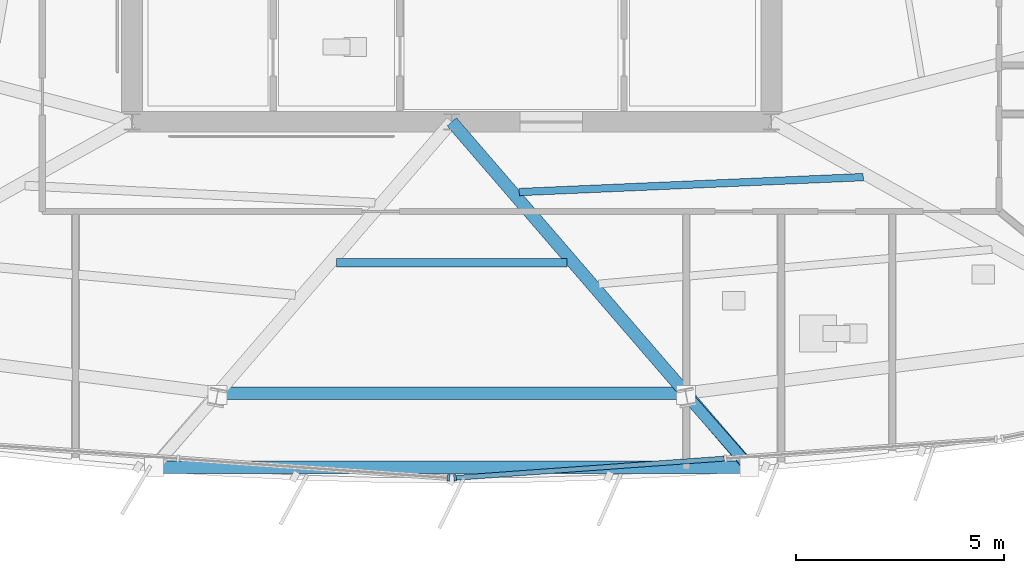
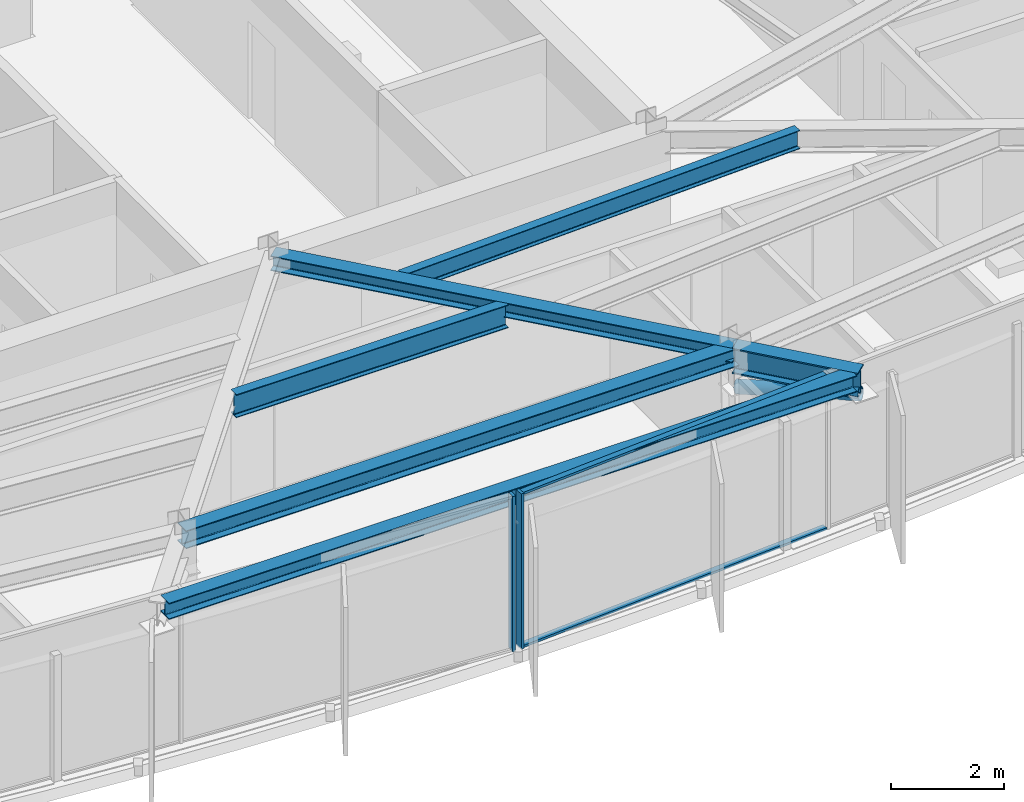
# One storey, part 3 of 15: 6 beams, 5 members, 2 elements without a shape of their own.
"""IFC4 building model written with IfcOpenShell, lengths in metres."""

import ifcopenshell
import ifcopenshell.guid

model = None  # the IFC model being written
_history = None  # IfcOwnerHistory: only IFC2X3 demands one
_inside = {}  # id of a spatial element -> (the spatial element, [elements in it])
_under = {}  # id of a project, library or spatial element -> (it, [spatial elements below it])
_declared = {}  # id of a project -> (the project, [libraries it declares])
_typed = {}  # id of a type object -> (the type object, [elements of that type])
_made_of = {}  # id of a material, layer set ... -> (it, [elements and type objects made of it])


def new_model(schema):
    """Start an empty IFC model of exactly this schema.

    Asked for "IFC4X3", IfcOpenShell would pick the latest addendum, in which some entities
    have other attributes; the version numbers below select the first issue.
    IFC2X3 requires an IfcOwnerHistory on every rooted entity: one is made here for all.
    """
    global model, _history
    if schema == "IFC4X3":
        model = ifcopenshell.file(schema_version=(4, 3, 0, 0))
    else:
        model = ifcopenshell.file(schema=schema)
    _inside.clear()
    _under.clear()
    _declared.clear()
    _typed.clear()
    _made_of.clear()
    _history = None
    if model.schema == "IFC2X3":
        org = make("IfcOrganization", Name="unknown")
        user = make(
            "IfcPersonAndOrganization",
            ThePerson=make("IfcPerson", FamilyName="unknown"),
            TheOrganization=org,
        )
        app = make(
            "IfcApplication",
            ApplicationDeveloper=org,
            Version="unknown",
            ApplicationFullName="unknown",
            ApplicationIdentifier="unknown",
        )
        _history = make(
            "IfcOwnerHistory",
            OwningUser=user,
            OwningApplication=app,
            ChangeAction="ADDED",
            CreationDate=0,
        )
    return model


def make(cls, **values):
    """One entity of the class cls with the attributes given. An attribute that is None is left unset."""
    return model.create_entity(
        cls, **{name: value for name, value in values.items() if value is not None}
    )


def rooted(cls, **values):
    """An entity with a GlobalId (a new one), such as an element, a storey or a relation."""
    return make(cls, GlobalId=ifcopenshell.guid.new(), OwnerHistory=_history, **values)


def si_unit(unit_type, name, prefix=None):
    """IfcSIUnit, for example si_unit("LENGTHUNIT", "METRE", prefix="MILLI")."""
    return make("IfcSIUnit", UnitType=unit_type, Prefix=prefix, Name=name)


def assignment(units):
    """IfcUnitAssignment: the units of a project."""
    return None if units is None else make("IfcUnitAssignment", Units=units)


def point(xyz):
    """IfcCartesianPoint."""
    return None if xyz is None else make("IfcCartesianPoint", Coordinates=xyz)


def direction(xyz):
    """IfcDirection."""
    return None if xyz is None else make("IfcDirection", DirectionRatios=xyz)


def frame(location, z_axis=None, x_axis=None):
    """IfcAxis2Placement3D, a coordinate frame: its origin and axes. An axis left out is left unset."""
    return make(
        "IfcAxis2Placement3D",
        Location=point(location),
        Axis=direction(z_axis),
        RefDirection=direction(x_axis),
    )


def frame_2d(location, x_axis=None):
    """IfcAxis2Placement2D, a coordinate frame in the plane: its origin and x axis."""
    return make(
        "IfcAxis2Placement2D", Location=point(location), RefDirection=direction(x_axis)
    )


def origin():
    """The frame at (0, 0, 0) with its axes left unset."""
    return frame((0.0, 0.0, 0.0))


def origin_2d():
    """The frame at (0, 0) in the plane with its x axis left unset."""
    return frame_2d((0.0, 0.0))


def place(relative_to, where):
    """IfcLocalPlacement: puts the frame where relative to a parent placement (None: the world)."""
    return make(
        "IfcLocalPlacement", PlacementRelTo=relative_to, RelativePlacement=where
    )


def context(
    kind, dimensions, precision=None, world=None, true_north=None, identifier=None
):
    """IfcGeometricRepresentationContext, for example the 3D "Model" context."""
    return make(
        "IfcGeometricRepresentationContext",
        ContextIdentifier=identifier,
        ContextType=kind,
        CoordinateSpaceDimension=dimensions,
        Precision=precision,
        WorldCoordinateSystem=world,
        TrueNorth=true_north,
    )


def subcontext(parent, identifier, kind, view, scale=None):
    """IfcGeometricRepresentationSubContext, for example "Body" below "Model"."""
    return make(
        "IfcGeometricRepresentationSubContext",
        ContextIdentifier=identifier,
        ContextType=kind,
        ParentContext=parent,
        TargetScale=scale,
        TargetView=view,
    )


def project(units=None, contexts=None):
    """IfcProject with its units and contexts."""
    return rooted(
        "IfcProject",
        Name="project",
        RepresentationContexts=contexts,
        UnitsInContext=assignment(units),
    )


def spatial(cls, under=None, at=None, **own):
    """A site, building, storey or space (cls), placed at a placement, below another one or the project."""
    s = rooted(cls, ObjectPlacement=at, **own)
    if under is not None:
        _under.setdefault(under.id(), (under, []))[1].append(s)
    return s


def profile(cls, at=None, kind="AREA", **sizes):
    """A parametric profile (cls). Its sizes go by their IFC names, for example OverallWidth=200.0."""
    return make(cls, ProfileType=kind, Position=at, **sizes)


def rectangle(**sizes):
    """IfcRectangleProfileDef."""
    return profile("IfcRectangleProfileDef", **sizes)


def hollow_circle(**sizes):
    """IfcCircleHollowProfileDef."""
    return profile("IfcCircleHollowProfileDef", **sizes)


def i_section(**sizes):
    """IfcIShapeProfileDef."""
    return profile("IfcIShapeProfileDef", **sizes)


def extrude(swept, where, along, depth):
    """IfcExtrudedAreaSolid: the profile swept, set in the frame where, extruded along a direction by depth."""
    return make(
        "IfcExtrudedAreaSolid",
        SweptArea=swept,
        Position=where,
        ExtrudedDirection=direction(along),
        Depth=depth,
    )


def shape(context_of_items, identifier, shape_type, items):
    """IfcShapeRepresentation: the items that make up one representation, for example the "Body"."""
    return make(
        "IfcShapeRepresentation",
        ContextOfItems=context_of_items,
        RepresentationIdentifier=identifier,
        RepresentationType=shape_type,
        Items=items,
    )


def material(Name=None, Category=None):
    """IfcMaterial."""
    return make("IfcMaterial", Name=Name, Category=Category)


def material_profile(
    of_material, cross_section, Name=None, Category=None, Priority=None
):
    """IfcMaterialProfile: a cross section and its material."""
    return make(
        "IfcMaterialProfile",
        Name=Name,
        Material=of_material,
        Profile=cross_section,
        Priority=Priority,
        Category=Category,
    )


def profile_set(profiles, Name=None, composite=None):
    """IfcMaterialProfileSet."""
    return make(
        "IfcMaterialProfileSet",
        Name=Name,
        MaterialProfiles=profiles,
        CompositeProfile=composite,
    )


def made_of(thing, what):
    """Note that an element or type object is made of a material, layer set ...; save() writes the relation."""
    if what is not None:
        _made_of.setdefault(what.id(), (what, []))[1].append(thing)
    return thing


def type_object(cls, material=None, **own):
    """A type object (cls), such as IfcWallType, which elements share."""
    return made_of(rooted(cls, **own), material)


def element(
    cls,
    number,
    at=None,
    inside=None,
    cuts=None,
    type_object=None,
    material=None,
    context=None,
    identifier="Body",
    shape_type=None,
    held_by="IfcProductDefinitionShape",
    body=None,
    shapes=None,
    **own,
):
    """One element of the class cls, such as IfcWall. Its Tag is "e" and its number.

    at: its placement. inside: the storey or other place that contains it. cuts: it is an
    opening in that element (IfcRelVoidsElement). A single representation is given by context,
    identifier, shape_type and body (its items); several are given by shapes. held_by: the class
    of the entity that holds the representations. save() writes the other relations.
    """
    e = rooted(cls, Tag="e%d" % number, ObjectPlacement=at, **own)
    if body is not None:
        shapes = [shape(context, identifier, shape_type, body)]
    if shapes is not None:
        e.Representation = make(held_by, Representations=shapes)
    if inside is not None:
        _inside.setdefault(inside.id(), (inside, []))[1].append(e)
    if cuts is not None:
        rooted(
            "IfcRelVoidsElement", RelatingBuildingElement=cuts, RelatedOpeningElement=e
        )
    if type_object is not None:
        _typed.setdefault(type_object.id(), (type_object, []))[1].append(e)
    return made_of(e, material)


def aggregate(whole, parts):
    """IfcRelAggregates: a whole, such as a stair, and the parts it consists of."""
    return rooted("IfcRelAggregates", RelatingObject=whole, RelatedObjects=parts)


def save(model, path):
    """Write the relations noted so far, then the file.

    IfcRelAggregates (storeys below a building ...), IfcRelContainedInSpatialStructure (elements
    in a storey), IfcRelDefinesByType, IfcRelAssociatesMaterial and IfcRelDeclares: one each for
    every whole, place, type object, material and project.
    """
    for whole, parts in _under.values():
        aggregate(whole, parts)
    for where, things in _inside.values():
        rooted(
            "IfcRelContainedInSpatialStructure",
            RelatedElements=things,
            RelatingStructure=where,
        )
    for kind, things in _typed.values():
        rooted("IfcRelDefinesByType", RelatedObjects=things, RelatingType=kind)
    for what, things in _made_of.values():
        rooted("IfcRelAssociatesMaterial", RelatedObjects=things, RelatingMaterial=what)
    for by, libraries in _declared.values():
        rooted("IfcRelDeclares", RelatingContext=by, RelatedDefinitions=libraries)
    model.write(path)


model = new_model("IFC4")

# Units and contexts
model_context = context("Model", 3, precision=1e-05, world=origin(), true_north=direction((0.0, 1.0)))
body_context = subcontext(model_context, "Body", "Model", "MODEL_VIEW")
ifc_project = project(units=[si_unit("LENGTHUNIT", "METRE"), si_unit("AREAUNIT", "SQUARE_METRE"), si_unit("VOLUMEUNIT", "CUBIC_METRE"), si_unit("PLANEANGLEUNIT", "RADIAN"), si_unit("MASSUNIT", "GRAM", prefix="KILO")], contexts=[model_context])

# Site, building, storey
site_placement = place(None, origin())
site = spatial("IfcSite", under=ifc_project, at=site_placement, CompositionType="ELEMENT")
building_placement = place(site_placement, origin())
building = spatial("IfcBuilding", under=site, at=building_placement, Name="Savorim Split Tower", CompositionType="ELEMENT")
storey_placement = place(building_placement, frame((0.0, 0.0, 201.89990234375)))
storey = spatial("IfcBuildingStorey", under=building, at=storey_placement, Name="L53", CompositionType="ELEMENT", Elevation=201.89990234375)

# Beams
ifc_material_1 = material(Name="Steel S355", Category="steel")
ifc_material_profile_1 = material_profile(ifc_material_1, i_section(OverallWidth=0.179931640625, OverallDepth=0.39990234375, WebThickness=0.008544921875, FlangeThickness=0.013427734375, FilletRadius=0.02099609375, at=origin_2d()), Name="IPE 400")
ifc_profile_set_1 = profile_set([ifc_material_profile_1], Name="Steel S355")
beam_type_1 = type_object("IfcBeamType", Name="BM-JST-IPE400", PredefinedType="JOIST", material=ifc_profile_set_1)
beam_1_placement = place(storey_placement, frame((1.62548828125, -11.09228515625, 3.150146484375), z_axis=(0.999059543239, 0.043359301921, 0.0), x_axis=(-0.043359301921, 0.999059543239, 0.0)))
element("IfcBeam", 1, at=beam_1_placement, inside=storey, type_object=beam_type_1, Name="L53 Secondary Floor Joist JS-05", PredefinedType="JOIST", context=body_context, shape_type="SweptSolid", body=[
    extrude(i_section(OverallWidth=0.179931640625, OverallDepth=0.39990234375, WebThickness=0.008544921875, FlangeThickness=0.013427734375, FilletRadius=0.02099609375, at=origin_2d()), origin(), (0.0, 0.0, 1.0), 8.2939453125),
])
ifc_material_profile_2 = material_profile(ifc_material_1, i_section(OverallWidth=0.199951171875, OverallDepth=0.5, WebThickness=0.01025390625, FlangeThickness=0.01611328125, FilletRadius=0.02099609375, at=origin_2d()), Name="IPE 500")
ifc_profile_set_2 = profile_set([ifc_material_profile_2], Name="Steel S355")
beam_type_2 = type_object("IfcBeamType", Name="BM-JST-IPE500", PredefinedType="JOIST", material=ifc_profile_set_2)
beam_2_placement = place(storey_placement, frame((-2.771484375, -12.79833984375, 3.10009765625), z_axis=(1.0, 0.0, 0.0), x_axis=(0.0, 1.0, 0.0)))
element("IfcBeam", 2, at=beam_2_placement, inside=storey, type_object=beam_type_2, Name="L53 Secondary Floor Joist JS-03", PredefinedType="JOIST", context=body_context, shape_type="SweptSolid", body=[
    extrude(i_section(OverallWidth=0.199951171875, OverallDepth=0.5, WebThickness=0.01025390625, FlangeThickness=0.01611328125, FilletRadius=0.02099609375, at=origin_2d()), origin(), (0.0, 0.0, 1.0), 5.54296875),
])
ifc_material_profile_3 = material_profile(ifc_material_1, i_section(OverallWidth=0.300048828125, OverallDepth=0.320068359375, WebThickness=0.011474609375, FlangeThickness=0.0205078125, FilletRadius=0.027099609375, at=origin_2d()), Name="HEB 320")
ifc_profile_set_3 = profile_set([ifc_material_profile_3], Name="Steel S355")
beam_type_3 = type_object("IfcBeamType", Name="BM-PRI-HEB320", PredefinedType="BEAM", material=ifc_profile_set_3)
beam_3_placement = place(storey_placement, frame((5.63720703125, -15.935302734375, 3.190185546875), z_axis=(-0.653155031073, 0.757224210775, 0.0), x_axis=(-0.757224210775, -0.653155031073, 0.0)))
element("IfcBeam", 3, at=beam_3_placement, inside=storey, type_object=beam_type_3, Name="L53 Primary Floor Girder RG-03", PredefinedType="BEAM", context=body_context, shape_type="SweptSolid", body=[
    extrude(i_section(OverallWidth=0.300048828125, OverallDepth=0.320068359375, WebThickness=0.011474609375, FlangeThickness=0.0205078125, FilletRadius=0.027099609375, at=origin_2d()), origin(), (0.0, 0.0, 1.0), 8.630615234375),
])
ifc_material_profile_4 = material_profile(ifc_material_1, i_section(OverallWidth=0.300048828125, OverallDepth=0.550048828125, WebThickness=0.014892578125, FlangeThickness=0.029052734375, FilletRadius=0.027099609375, at=origin_2d()), Name="HEB 550")
ifc_profile_set_4 = profile_set([ifc_material_profile_4], Name="Steel S355")
beam_type_4 = type_object("IfcBeamType", Name="BM-PRI-HEB550", PredefinedType="BEAM", material=ifc_profile_set_4)
beam_4_placement = place(storey_placement, frame((5.63720703125, -15.935302734375, 3.0751953125), z_axis=(0.653251941195, -0.757140608688, 0.0), x_axis=(0.757140608688, 0.653251941195, 0.0)))
element("IfcBeam", 4, at=beam_4_placement, inside=storey, type_object=beam_type_4, Name="L53 Cantilevered Lounge Rib 2", PredefinedType="BEAM", context=body_context, shape_type="SweptSolid", body=[
    extrude(i_section(OverallWidth=0.300048828125, OverallDepth=0.550048828125, WebThickness=0.014892578125, FlangeThickness=0.029052734375, FilletRadius=0.027099609375, at=origin_2d()), origin(), (0.0, 0.0, 1.0), 2.35009765625),
])
ifc_material_profile_5 = material_profile(ifc_material_1, i_section(OverallWidth=0.300048828125, OverallDepth=0.35009765625, WebThickness=0.010009765625, FlangeThickness=0.017578125, FilletRadius=0.027099609375, at=origin_2d()), Name="HEA 360")
ifc_profile_set_5 = profile_set([ifc_material_profile_5], Name="Steel S355")
beam_type_5 = type_object("IfcBeamType", Name="BM-SPN-HEA360", PredefinedType="SPANDREL", material=ifc_profile_set_5)
beam_5_placement = place(storey_placement, frame((-7.01220703125, -17.714599609375, 3.175048828125), z_axis=(1.0, 0.0, 0.0), x_axis=(0.0, 1.0, 0.0)))
element("IfcBeam", 5, at=beam_5_placement, inside=storey, type_object=beam_type_5, Name="L53 Cantilevered Lounge Front Edge Beam", PredefinedType="SPANDREL", context=body_context, shape_type="SweptSolid", body=[
    extrude(i_section(OverallWidth=0.300048828125, OverallDepth=0.35009765625, WebThickness=0.010009765625, FlangeThickness=0.017578125, FilletRadius=0.027099609375, at=origin_2d()), origin(), (0.0, 0.0, 1.0), 14.0244140625),
])
ifc_material_profile_6 = material_profile(ifc_material_1, i_section(OverallWidth=0.300048828125, OverallDepth=0.389892578125, WebThickness=0.010986328125, FlangeThickness=0.01904296875, FilletRadius=0.027099609375, at=origin_2d()), Name="HEA 400")
ifc_profile_set_6 = profile_set([ifc_material_profile_6], Name="Steel S355")
beam_type_6 = type_object("IfcBeamType", Name="BM-SPN-HEA400", PredefinedType="SPANDREL", material=ifc_profile_set_6)
beam_6_placement = place(storey_placement, frame((-5.63720703125, -15.935302734375, 3.155029296875), z_axis=(1.0, 0.0, 0.0), x_axis=(0.0, 1.0, 0.0)))
element("IfcBeam", 6, at=beam_6_placement, inside=storey, type_object=beam_type_6, Name="L53 Perimeter Spandrel Beam 2", PredefinedType="SPANDREL", context=body_context, shape_type="SweptSolid", body=[
    extrude(i_section(OverallWidth=0.300048828125, OverallDepth=0.389892578125, WebThickness=0.010986328125, FlangeThickness=0.01904296875, FilletRadius=0.027099609375, at=origin_2d()), origin(), (0.0, 0.0, 1.0), 11.2744140625),
])

# Curtain wall, member
ifc_material_2 = material(Name="Dark Ceramic-Fritted Insulated Glass", Category="glass")
curtain_wall_type = type_object("IfcCurtainWallType", Name="CW-TWR-FRIT-B", PredefinedType="NOTDEFINED", material=ifc_material_2)
curtain_wall_1_placement = place(storey_placement, origin())
curtain_wall_1 = element("IfcCurtainWall", 7, at=curtain_wall_1_placement, inside=storey, type_object=curtain_wall_type, Name="L53 Curtain Wall CW-L53-SF2", PredefinedType="NOTDEFINED")
ifc_material_3 = material(Name="Charcoal Anodised Aluminium", Category="aluminium")
ifc_material_profile_7 = material_profile(ifc_material_3, rectangle(XDim=0.159912109375, YDim=0.06005859375, at=origin_2d()), Name="ALU-M 160x60")
ifc_profile_set_7 = profile_set([ifc_material_profile_7], Name="Charcoal Anodised Aluminium")
member_type_1 = type_object("IfcMemberType", Name="CWM-160x60", PredefinedType="MULLION", material=ifc_profile_set_7)
member_1_placement = place(storey_placement, frame((-0.081298828125, -17.976318359375, 0.0), z_axis=(0.0, 0.0, 1.0), x_axis=(0.071561883187, 0.997436161804, 0.0)))
member_1 = element("IfcMember", 8, at=member_1_placement, type_object=member_type_1, Name="CW-03 mullion 3", PredefinedType="MULLION", context=body_context, shape_type="SweptSolid", body=[
    extrude(rectangle(XDim=0.159912109375, YDim=0.06005859375, at=origin_2d()), origin(), (0.0, 0.0, 1.0), 3.35009765625),
])
aggregate(curtain_wall_1, [member_1])

# Curtain wall, members
curtain_wall_2_placement = place(storey_placement, origin())
curtain_wall_2 = element("IfcCurtainWall", 9, at=curtain_wall_2_placement, inside=storey, type_object=curtain_wall_type, Name="L53 Curtain Wall CW-L53-SF3", PredefinedType="NOTDEFINED")
member_2_placement = place(storey_placement, frame((0.081298828125, -17.976318359375, 0.0), z_axis=(0.0, 0.0, 1.0), x_axis=(-0.071561883187, 0.997436161804, 0.0)))
member_2 = element("IfcMember", 10, at=member_2_placement, type_object=member_type_1, Name="CW-03 mullion 1", PredefinedType="MULLION", context=body_context, shape_type="SweptSolid", body=[
    extrude(rectangle(XDim=0.159912109375, YDim=0.06005859375, at=origin_2d()), origin(), (0.0, 0.0, 1.0), 3.35009765625),
])
ifc_material_profile_8 = material_profile(ifc_material_3, rectangle(XDim=0.1201171875, YDim=0.050048828125, at=origin_2d()), Name="ALU-T 120x50")
ifc_profile_set_8 = profile_set([ifc_material_profile_8], Name="Charcoal Anodised Aluminium")
member_type_2 = type_object("IfcMemberType", Name="CWT-120x50", PredefinedType="USERDEFINED", material=ifc_profile_set_8)
member_3_placement = place(storey_placement, frame((0.111083984375, -17.97412109375, 0.025146484375), z_axis=(0.997435267849, 0.071574342133, 0.0), x_axis=(-0.071574342133, 0.997435267849, 0.0)))
member_3 = element("IfcMember", 11, at=member_3_placement, type_object=member_type_2, Name="CW-03 transom 1.1", ObjectType="TRANSOM", PredefinedType="USERDEFINED", context=body_context, shape_type="SweptSolid", body=[
    extrude(rectangle(XDim=0.1201171875, YDim=0.050048828125, at=origin_2d()), origin(), (0.0, 0.0, 1.0), 6.46728515625),
])
member_4_placement = place(storey_placement, frame((0.111083984375, -17.97412109375, 3.3251953125), z_axis=(0.997435267849, 0.071574342133, 0.0), x_axis=(-0.071574342133, 0.997435267849, 0.0)))
member_4 = element("IfcMember", 12, at=member_4_placement, type_object=member_type_2, Name="CW-03 transom 1.2", ObjectType="TRANSOM", PredefinedType="USERDEFINED", context=body_context, shape_type="SweptSolid", body=[
    extrude(rectangle(XDim=0.1201171875, YDim=0.050048828125, at=origin_2d()), origin(), (0.0, 0.0, 1.0), 6.46728515625),
])
aggregate(curtain_wall_2, [member_2, member_3, member_4])

# Member
ifc_material_profile_9 = material_profile(ifc_material_1, hollow_circle(Radius=0.136474609375, WallThickness=0.01611328125, at=origin_2d()), Name="CHS 273x16")
ifc_profile_set_9 = profile_set([ifc_material_profile_9], Name="Steel S355")
member_type_3 = type_object("IfcMemberType", Name="MBR-CRN-CHS273", PredefinedType="BRACE", material=ifc_profile_set_9)
member_5_placement = place(storey_placement, frame((5.645263671875, -15.9755859375, 2.4501953125), z_axis=(0.651571765309, -0.741989717713, 0.157814744116), x_axis=(0.751405781182, 0.65984039889, 0.0)))
element("IfcMember", 13, at=member_5_placement, inside=storey, type_object=member_type_3, Name="L53 Cantilevered Bay Support Strut 2", PredefinedType="BRACE", context=body_context, shape_type="SweptSolid", body=[
    extrude(hollow_circle(Radius=0.136474609375, WallThickness=0.01611328125, at=origin_2d()), origin(), (0.0, 0.0, 1.0), 2.34375),
])

save(model, "model.ifc")
